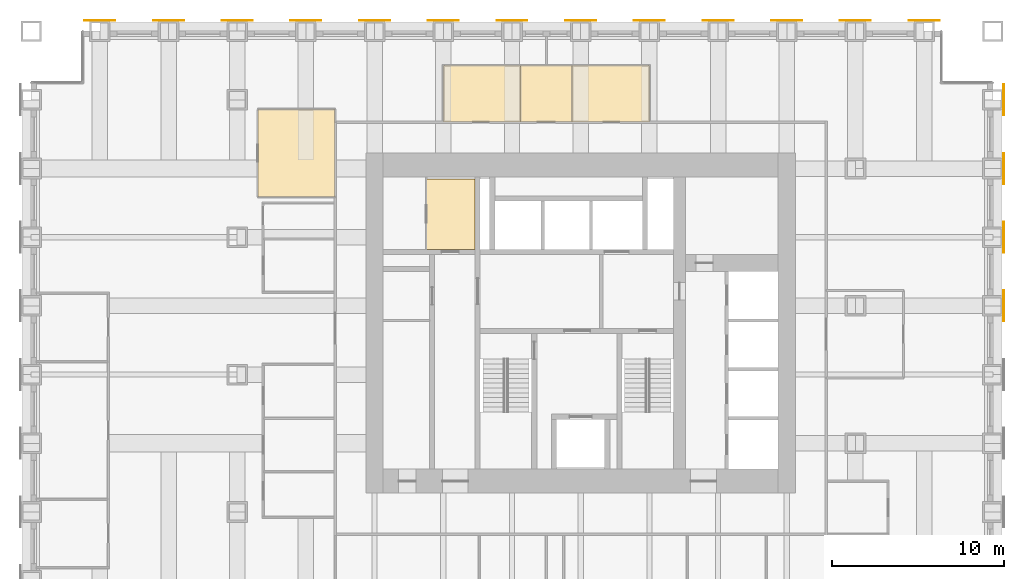
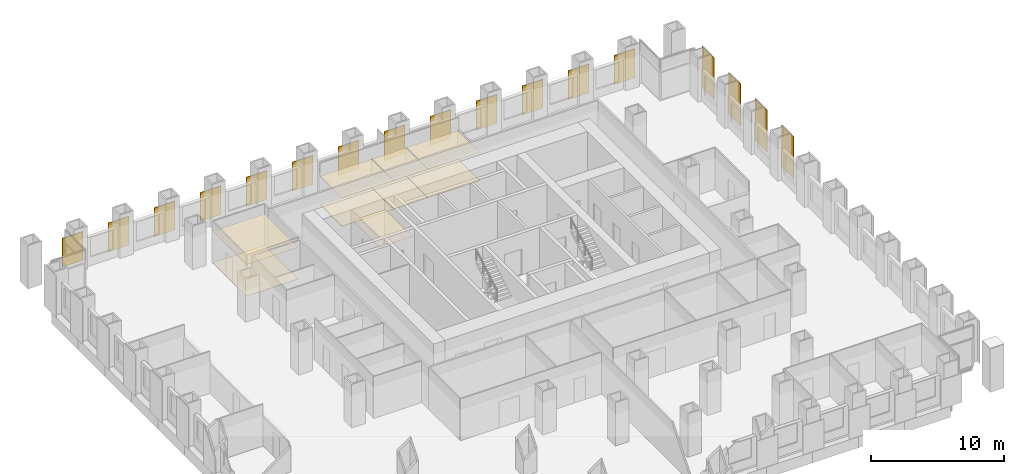
# One storey, part 15 of 15: 17 shading devices, 9 coverings.
"""IFC4 building model written with IfcOpenShell, lengths in metres."""

import ifcopenshell
import ifcopenshell.guid

model = None  # the IFC model being written
_history = None  # IfcOwnerHistory: only IFC2X3 demands one
_inside = {}  # id of a spatial element -> (the spatial element, [elements in it])
_under = {}  # id of a project, library or spatial element -> (it, [spatial elements below it])
_declared = {}  # id of a project -> (the project, [libraries it declares])
_typed = {}  # id of a type object -> (the type object, [elements of that type])
_made_of = {}  # id of a material, layer set ... -> (it, [elements and type objects made of it])


def new_model(schema):
    """Start an empty IFC model of exactly this schema.

    Asked for "IFC4X3", IfcOpenShell would pick the latest addendum, in which some entities
    have other attributes; the version numbers below select the first issue.
    IFC2X3 requires an IfcOwnerHistory on every rooted entity: one is made here for all.
    """
    global model, _history
    if schema == "IFC4X3":
        model = ifcopenshell.file(schema_version=(4, 3, 0, 0))
    else:
        model = ifcopenshell.file(schema=schema)
    _inside.clear()
    _under.clear()
    _declared.clear()
    _typed.clear()
    _made_of.clear()
    _history = None
    if model.schema == "IFC2X3":
        org = make("IfcOrganization", Name="unknown")
        user = make(
            "IfcPersonAndOrganization",
            ThePerson=make("IfcPerson", FamilyName="unknown"),
            TheOrganization=org,
        )
        app = make(
            "IfcApplication",
            ApplicationDeveloper=org,
            Version="unknown",
            ApplicationFullName="unknown",
            ApplicationIdentifier="unknown",
        )
        _history = make(
            "IfcOwnerHistory",
            OwningUser=user,
            OwningApplication=app,
            ChangeAction="ADDED",
            CreationDate=0,
        )
    return model


def make(cls, **values):
    """One entity of the class cls with the attributes given. An attribute that is None is left unset."""
    return model.create_entity(
        cls, **{name: value for name, value in values.items() if value is not None}
    )


def rooted(cls, **values):
    """An entity with a GlobalId (a new one), such as an element, a storey or a relation."""
    return make(cls, GlobalId=ifcopenshell.guid.new(), OwnerHistory=_history, **values)


def si_unit(unit_type, name, prefix=None):
    """IfcSIUnit, for example si_unit("LENGTHUNIT", "METRE", prefix="MILLI")."""
    return make("IfcSIUnit", UnitType=unit_type, Prefix=prefix, Name=name)


def assignment(units):
    """IfcUnitAssignment: the units of a project."""
    return None if units is None else make("IfcUnitAssignment", Units=units)


def point(xyz):
    """IfcCartesianPoint."""
    return None if xyz is None else make("IfcCartesianPoint", Coordinates=xyz)


def direction(xyz):
    """IfcDirection."""
    return None if xyz is None else make("IfcDirection", DirectionRatios=xyz)


def frame(location, z_axis=None, x_axis=None):
    """IfcAxis2Placement3D, a coordinate frame: its origin and axes. An axis left out is left unset."""
    return make(
        "IfcAxis2Placement3D",
        Location=point(location),
        Axis=direction(z_axis),
        RefDirection=direction(x_axis),
    )


def frame_2d(location, x_axis=None):
    """IfcAxis2Placement2D, a coordinate frame in the plane: its origin and x axis."""
    return make(
        "IfcAxis2Placement2D", Location=point(location), RefDirection=direction(x_axis)
    )


def origin():
    """The frame at (0, 0, 0) with its axes left unset."""
    return frame((0.0, 0.0, 0.0))


def origin_2d():
    """The frame at (0, 0) in the plane with its x axis left unset."""
    return frame_2d((0.0, 0.0))


def place(relative_to, where):
    """IfcLocalPlacement: puts the frame where relative to a parent placement (None: the world)."""
    return make(
        "IfcLocalPlacement", PlacementRelTo=relative_to, RelativePlacement=where
    )


def context(
    kind, dimensions, precision=None, world=None, true_north=None, identifier=None
):
    """IfcGeometricRepresentationContext, for example the 3D "Model" context."""
    return make(
        "IfcGeometricRepresentationContext",
        ContextIdentifier=identifier,
        ContextType=kind,
        CoordinateSpaceDimension=dimensions,
        Precision=precision,
        WorldCoordinateSystem=world,
        TrueNorth=true_north,
    )


def subcontext(parent, identifier, kind, view, scale=None):
    """IfcGeometricRepresentationSubContext, for example "Body" below "Model"."""
    return make(
        "IfcGeometricRepresentationSubContext",
        ContextIdentifier=identifier,
        ContextType=kind,
        ParentContext=parent,
        TargetScale=scale,
        TargetView=view,
    )


def project(units=None, contexts=None):
    """IfcProject with its units and contexts."""
    return rooted(
        "IfcProject",
        Name="project",
        RepresentationContexts=contexts,
        UnitsInContext=assignment(units),
    )


def spatial(cls, under=None, at=None, **own):
    """A site, building, storey or space (cls), placed at a placement, below another one or the project."""
    s = rooted(cls, ObjectPlacement=at, **own)
    if under is not None:
        _under.setdefault(under.id(), (under, []))[1].append(s)
    return s


def polyline(points):
    """IfcPolyline through the points."""
    return make("IfcPolyline", Points=[point(p) for p in points])


def profile(cls, at=None, kind="AREA", **sizes):
    """A parametric profile (cls). Its sizes go by their IFC names, for example OverallWidth=200.0."""
    return make(cls, ProfileType=kind, Position=at, **sizes)


def rectangle(**sizes):
    """IfcRectangleProfileDef."""
    return profile("IfcRectangleProfileDef", **sizes)


def outline(outer, holes=None, kind="AREA"):
    """IfcArbitraryClosedProfileDef: a profile drawn as a closed curve; with holes, ...WithVoids."""
    if holes is None:
        return make("IfcArbitraryClosedProfileDef", ProfileType=kind, OuterCurve=outer)
    return make(
        "IfcArbitraryProfileDefWithVoids",
        ProfileType=kind,
        OuterCurve=outer,
        InnerCurves=holes,
    )


def extrude(swept, where, along, depth):
    """IfcExtrudedAreaSolid: the profile swept, set in the frame where, extruded along a direction by depth."""
    return make(
        "IfcExtrudedAreaSolid",
        SweptArea=swept,
        Position=where,
        ExtrudedDirection=direction(along),
        Depth=depth,
    )


def shape(context_of_items, identifier, shape_type, items):
    """IfcShapeRepresentation: the items that make up one representation, for example the "Body"."""
    return make(
        "IfcShapeRepresentation",
        ContextOfItems=context_of_items,
        RepresentationIdentifier=identifier,
        RepresentationType=shape_type,
        Items=items,
    )


def material(Name=None, Category=None):
    """IfcMaterial."""
    return make("IfcMaterial", Name=Name, Category=Category)


def layer(
    of_material, thickness, ventilated=None, Name=None, Category=None, Priority=None
):
    """IfcMaterialLayer: one layer of a wall or slab, of a material (None: an air gap)."""
    return make(
        "IfcMaterialLayer",
        Material=of_material,
        LayerThickness=thickness,
        IsVentilated=ventilated,
        Name=Name,
        Category=Category,
        Priority=Priority,
    )


def layer_set(layers, Name=None):
    """IfcMaterialLayerSet."""
    return make("IfcMaterialLayerSet", MaterialLayers=layers, LayerSetName=Name)


def made_of(thing, what):
    """Note that an element or type object is made of a material, layer set ...; save() writes the relation."""
    if what is not None:
        _made_of.setdefault(what.id(), (what, []))[1].append(thing)
    return thing


def type_object(cls, material=None, **own):
    """A type object (cls), such as IfcWallType, which elements share."""
    return made_of(rooted(cls, **own), material)


def element(
    cls,
    number,
    at=None,
    inside=None,
    cuts=None,
    type_object=None,
    material=None,
    context=None,
    identifier="Body",
    shape_type=None,
    held_by="IfcProductDefinitionShape",
    body=None,
    shapes=None,
    **own,
):
    """One element of the class cls, such as IfcWall. Its Tag is "e" and its number.

    at: its placement. inside: the storey or other place that contains it. cuts: it is an
    opening in that element (IfcRelVoidsElement). A single representation is given by context,
    identifier, shape_type and body (its items); several are given by shapes. held_by: the class
    of the entity that holds the representations. save() writes the other relations.
    """
    e = rooted(cls, Tag="e%d" % number, ObjectPlacement=at, **own)
    if body is not None:
        shapes = [shape(context, identifier, shape_type, body)]
    if shapes is not None:
        e.Representation = make(held_by, Representations=shapes)
    if inside is not None:
        _inside.setdefault(inside.id(), (inside, []))[1].append(e)
    if cuts is not None:
        rooted(
            "IfcRelVoidsElement", RelatingBuildingElement=cuts, RelatedOpeningElement=e
        )
    if type_object is not None:
        _typed.setdefault(type_object.id(), (type_object, []))[1].append(e)
    return made_of(e, material)


def aggregate(whole, parts):
    """IfcRelAggregates: a whole, such as a stair, and the parts it consists of."""
    return rooted("IfcRelAggregates", RelatingObject=whole, RelatedObjects=parts)


def save(model, path):
    """Write the relations noted so far, then the file.

    IfcRelAggregates (storeys below a building ...), IfcRelContainedInSpatialStructure (elements
    in a storey), IfcRelDefinesByType, IfcRelAssociatesMaterial and IfcRelDeclares: one each for
    every whole, place, type object, material and project.
    """
    for whole, parts in _under.values():
        aggregate(whole, parts)
    for where, things in _inside.values():
        rooted(
            "IfcRelContainedInSpatialStructure",
            RelatedElements=things,
            RelatingStructure=where,
        )
    for kind, things in _typed.values():
        rooted("IfcRelDefinesByType", RelatedObjects=things, RelatingType=kind)
    for what, things in _made_of.values():
        rooted("IfcRelAssociatesMaterial", RelatedObjects=things, RelatingMaterial=what)
    for by, libraries in _declared.values():
        rooted("IfcRelDeclares", RelatingContext=by, RelatedDefinitions=libraries)
    model.write(path)


model = new_model("IFC4")

# Units and contexts
model_context = context("Model", 3, precision=1e-05, world=origin(), true_north=direction((0.0, 1.0)))
body_context = subcontext(model_context, "Body", "Model", "MODEL_VIEW")
ifc_project = project(units=[si_unit("LENGTHUNIT", "METRE"), si_unit("AREAUNIT", "SQUARE_METRE"), si_unit("VOLUMEUNIT", "CUBIC_METRE"), si_unit("PLANEANGLEUNIT", "RADIAN"), si_unit("MASSUNIT", "GRAM", prefix="KILO")], contexts=[model_context])

# Site, building, storey
site_placement = place(None, origin())
site = spatial("IfcSite", under=ifc_project, at=site_placement, CompositionType="ELEMENT")
building_placement = place(site_placement, origin())
building = spatial("IfcBuilding", under=site, at=building_placement, Name="Rimbunsela Tower", CompositionType="ELEMENT")
storey_placement = place(building_placement, frame((0.0, 0.0, 39.0)))
storey = spatial("IfcBuildingStorey", under=building, at=storey_placement, Name="L09", CompositionType="ELEMENT", Elevation=39.0)

# Coverings
ifc_material_1 = material(Name="Nylon carpet tile", Category="textile")
ifc_layer_1 = layer(ifc_material_1, 0.010009765625)
ifc_layer_set_1 = layer_set([ifc_layer_1], Name="Carpet tile 10")
covering_type_1 = type_object("IfcCoveringType", Name="Carpet tile 10", PredefinedType="FLOORING", material=ifc_layer_set_1)
covering_1_placement = place(storey_placement, origin())
element("IfcCovering", 1, at=covering_1_placement, inside=storey, type_object=covering_type_1, Name="Floor finish Reception", PredefinedType="FLOORING", context=body_context, shape_type="SweptSolid", body=[
    extrude(outline(polyline([(15.699951171875, 34.35009765625), (15.699951171875, 39.449951171875), (11.199951171875, 39.449951171875), (11.199951171875, 34.35009765625), (15.699951171875, 34.35009765625)])), origin(), (0.0, 0.0, 1.0), 0.010009765625),
])
ifc_material_2 = material(Name="Mineral fibre ceiling tile", Category="gypsum")
ifc_layer_2 = layer(ifc_material_2, 0.02001953125)
ifc_layer_set_2 = layer_set([ifc_layer_2], Name="Ceiling 600 grid")
covering_type_2 = type_object("IfcCoveringType", Name="Ceiling 600 grid", PredefinedType="CEILING", material=ifc_layer_set_2)
covering_2_placement = place(storey_placement, frame((0.0, 0.0, 2.89990234375)))
element("IfcCovering", 2, at=covering_2_placement, inside=storey, type_object=covering_type_2, Name="Ceiling IT room", PredefinedType="CEILING", context=body_context, shape_type="SweptSolid", body=[
    extrude(outline(polyline([(23.85009765625, 31.300048828125), (23.85009765625, 35.39990234375), (21.0, 35.39990234375), (21.0, 31.300048828125), (23.85009765625, 31.300048828125)])), origin(), (0.0, 0.0, 1.0), 0.02001953125),
])
covering_3_placement = place(storey_placement, frame((0.0, 0.0, 2.89990234375)))
element("IfcCovering", 3, at=covering_3_placement, inside=storey, type_object=covering_type_2, Name="Ceiling Reception", PredefinedType="CEILING", context=body_context, shape_type="SweptSolid", body=[
    extrude(outline(polyline([(15.699951171875, 34.35009765625), (15.699951171875, 39.449951171875), (11.199951171875, 39.449951171875), (11.199951171875, 34.35009765625), (15.699951171875, 34.35009765625)])), origin(), (0.0, 0.0, 1.0), 0.02001953125),
])
ifc_material_3 = material(Name="Moisture-resistant plasterboard ceiling", Category="gypsum")
ifc_layer_3 = layer(ifc_material_3, 0.012451171875)
ifc_layer_set_3 = layer_set([ifc_layer_3], Name="Ceiling moisture-resistant board")
covering_type_3 = type_object("IfcCoveringType", Name="Ceiling moisture-resistant board", PredefinedType="CEILING", material=ifc_layer_set_3)
covering_4_placement = place(storey_placement, frame((0.0, 0.0, 2.60009765625)))
element("IfcCovering", 4, at=covering_4_placement, inside=storey, type_object=covering_type_3, Name="Ceiling Female WC", PredefinedType="CEILING", context=body_context, shape_type="SweptSolid", body=[
    extrude(outline(polyline([(26.5, 38.699951171875), (26.5, 42.0), (22.0, 42.0), (22.0, 38.699951171875), (26.5, 38.699951171875)])), origin(), (0.0, 0.0, 1.0), 0.02001953125),
])
covering_5_placement = place(storey_placement, frame((0.0, 0.0, 2.60009765625)))
element("IfcCovering", 5, at=covering_5_placement, inside=storey, type_object=covering_type_3, Name="Ceiling Accessible WC", PredefinedType="CEILING", context=body_context, shape_type="SweptSolid", body=[
    extrude(outline(polyline([(29.5, 38.699951171875), (29.5, 42.0), (26.5, 42.0), (26.5, 38.699951171875), (29.5, 38.699951171875)])), origin(), (0.0, 0.0, 1.0), 0.02001953125),
])
covering_6_placement = place(storey_placement, frame((0.0, 0.0, 2.60009765625)))
element("IfcCovering", 6, at=covering_6_placement, inside=storey, type_object=covering_type_3, Name="Ceiling Male WC", PredefinedType="CEILING", context=body_context, shape_type="SweptSolid", body=[
    extrude(outline(polyline([(34.0, 38.699951171875), (34.0, 42.0), (29.5, 42.0), (29.5, 38.699951171875), (34.0, 38.699951171875)])), origin(), (0.0, 0.0, 1.0), 0.02001953125),
])
ifc_material_4 = material(Name="Porcelain floor tile in adhesive bed", Category="ceramic")
ifc_layer_4 = layer(ifc_material_4, 0.02001953125)
ifc_layer_set_4 = layer_set([ifc_layer_4], Name="Porcelain tile 20")
covering_type_4 = type_object("IfcCoveringType", Name="Porcelain tile 20", PredefinedType="FLOORING", material=ifc_layer_set_4)
covering_7_placement = place(storey_placement, origin())
element("IfcCovering", 7, at=covering_7_placement, inside=storey, type_object=covering_type_4, Name="Floor finish Female WC", PredefinedType="FLOORING", context=body_context, shape_type="SweptSolid", body=[
    extrude(outline(polyline([(26.5, 38.699951171875), (26.5, 42.0), (22.0, 42.0), (22.0, 38.699951171875), (26.5, 38.699951171875)])), origin(), (0.0, 0.0, 1.0), 0.02001953125),
])
covering_8_placement = place(storey_placement, origin())
element("IfcCovering", 8, at=covering_8_placement, inside=storey, type_object=covering_type_4, Name="Floor finish Accessible WC", PredefinedType="FLOORING", context=body_context, shape_type="SweptSolid", body=[
    extrude(outline(polyline([(29.5, 38.699951171875), (29.5, 42.0), (26.5, 42.0), (26.5, 38.699951171875), (29.5, 38.699951171875)])), origin(), (0.0, 0.0, 1.0), 0.02001953125),
])
covering_9_placement = place(storey_placement, origin())
element("IfcCovering", 9, at=covering_9_placement, inside=storey, type_object=covering_type_4, Name="Floor finish Male WC", PredefinedType="FLOORING", context=body_context, shape_type="SweptSolid", body=[
    extrude(outline(polyline([(34.0, 38.699951171875), (34.0, 42.0), (29.5, 42.0), (29.5, 38.699951171875), (34.0, 38.699951171875)])), origin(), (0.0, 0.0, 1.0), 0.02001953125),
])

# Shading devices
ifc_material_5 = material(Name="Perforated aluminium, 35 % open area", Category="aluminium")
ifc_layer_5 = layer(ifc_material_5, 0.050048828125)
ifc_layer_set_5 = layer_set([ifc_layer_5], Name="Solar screen panel 1800")
shading_device_type = type_object("IfcShadingDeviceType", Name="Solar screen panel 1800", PredefinedType="USERDEFINED", material=ifc_layer_set_5)
for number, where, z_axis, x_axis, name in (
    (10, (54.625, 28.0, 0.0), (0.0, 0.0, 1.0), (0.0, 1.0, 0.0), "Solar screen E L09"),
    (11, (54.625, 32.0, 0.0), (0.0, 0.0, 1.0), (0.0, 1.0, 0.0), "Solar screen E L09"),
    (12, (54.625, 36.0, 0.0), (0.0, 0.0, 1.0), (0.0, 1.0, 0.0), "Solar screen E L09"),
    (13, (54.625, 40.0, 0.0), (0.0, 0.0, 1.0), (0.0, 1.0, 0.0), "Solar screen E L09"),
):
    element("IfcShadingDevice", number, at=place(storey_placement, frame(where, z_axis=z_axis, x_axis=x_axis)), inside=storey, type_object=shading_device_type, Name=name, ObjectType="SCREEN", PredefinedType="USERDEFINED", context=body_context, shape_type="SweptSolid", body=[
        extrude(rectangle(XDim=1.800048828125, YDim=0.050048828125, at=origin_2d()), origin(), (0.0, 0.0, 1.0), 3.85009765625),
    ])
for number, where, z_axis, x_axis, name in (
    (14, (2.0, 44.625, 0.0), (0.0, 0.0, 1.0), (1.0, 0.0, 0.0), "Solar screen N L09"),
    (15, (6.0, 44.625, 0.0), (0.0, 0.0, 1.0), (1.0, 0.0, 0.0), "Solar screen N L09"),
    (16, (10.0, 44.625, 0.0), (0.0, 0.0, 1.0), (1.0, 0.0, 0.0), "Solar screen N L09"),
    (17, (14.0, 44.625, 0.0), (0.0, 0.0, 1.0), (1.0, 0.0, 0.0), "Solar screen N L09"),
    (18, (18.0, 44.625, 0.0), (0.0, 0.0, 1.0), (1.0, 0.0, 0.0), "Solar screen N L09"),
    (19, (22.0, 44.625, 0.0), (0.0, 0.0, 1.0), (1.0, 0.0, 0.0), "Solar screen N L09"),
    (20, (26.0, 44.625, 0.0), (0.0, 0.0, 1.0), (1.0, 0.0, 0.0), "Solar screen N L09"),
    (21, (30.0, 44.625, 0.0), (0.0, 0.0, 1.0), (1.0, 0.0, 0.0), "Solar screen N L09"),
    (22, (34.0, 44.625, 0.0), (0.0, 0.0, 1.0), (1.0, 0.0, 0.0), "Solar screen N L09"),
    (23, (38.0, 44.625, 0.0), (0.0, 0.0, 1.0), (1.0, 0.0, 0.0), "Solar screen N L09"),
    (24, (42.0, 44.625, 0.0), (0.0, 0.0, 1.0), (1.0, 0.0, 0.0), "Solar screen N L09"),
    (25, (46.0, 44.625, 0.0), (0.0, 0.0, 1.0), (1.0, 0.0, 0.0), "Solar screen N L09"),
    (26, (50.0, 44.625, 0.0), (0.0, 0.0, 1.0), (1.0, 0.0, 0.0), "Solar screen N L09"),
):
    element("IfcShadingDevice", number, at=place(storey_placement, frame(where, z_axis=z_axis, x_axis=x_axis)), inside=storey, type_object=shading_device_type, Name=name, ObjectType="SCREEN", PredefinedType="USERDEFINED", context=body_context, shape_type="SweptSolid", body=[
        extrude(rectangle(XDim=1.800048828125, YDim=0.050048828125, at=origin_2d()), origin(), (0.0, 0.0, 1.0), 2.64990234375),
    ])

save(model, "model.ifc")
